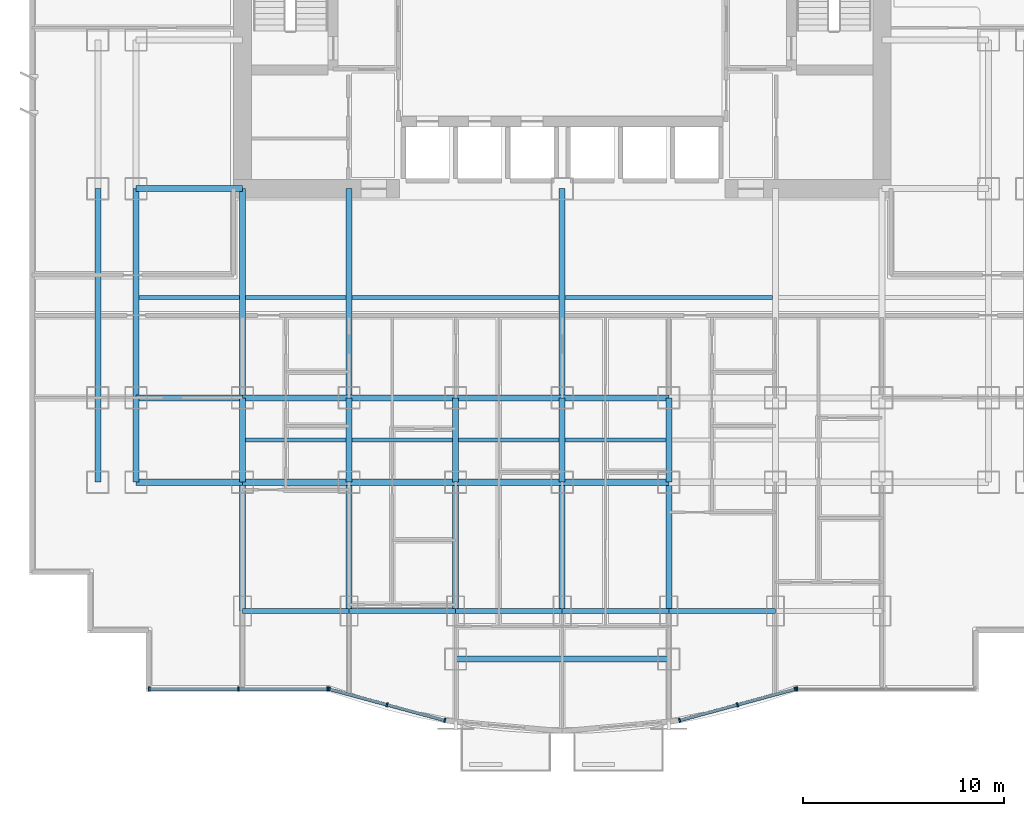
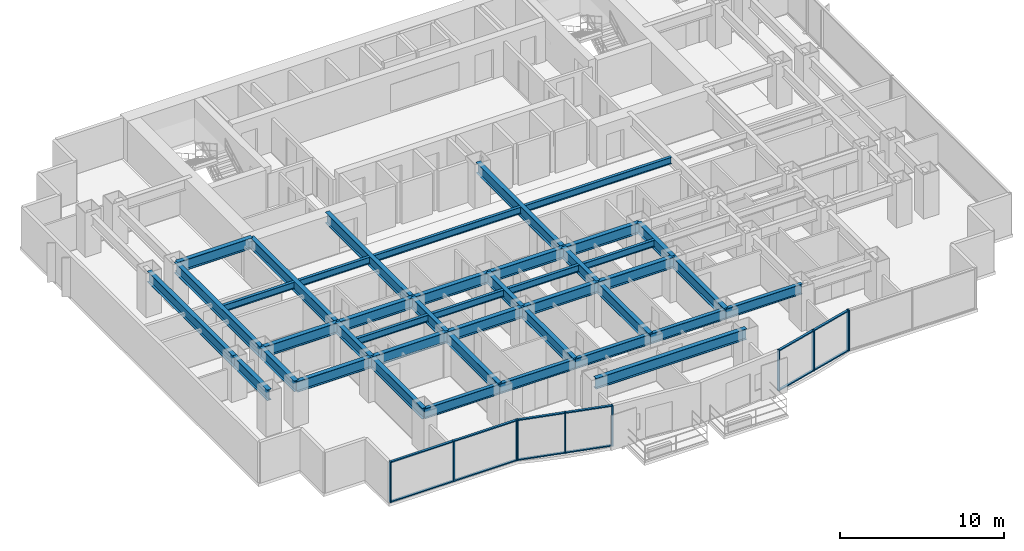
# One storey, part 2 of 12: 42 beams, 22 members, 4 elements without a shape of their own.
"""IFC4 building model written with IfcOpenShell, lengths in metres."""

from ifc_helpers import new_model, si_unit, direction, frame, origin, origin_2d, place, context, subcontext, project, spatial, rectangle, i_section, extrude, source, transform, mapped, material, layer, layer_set, material_profile, profile_set, type_object, element, aggregate, save


model = new_model("IFC4")

# Units and contexts
model_context = context("Model", 3, precision=1e-05, world=origin(), true_north=direction((0.0, 1.0)))
body_context = subcontext(model_context, "Body", "Model", "MODEL_VIEW")
ifc_project = project(units=[si_unit("LENGTHUNIT", "METRE"), si_unit("AREAUNIT", "SQUARE_METRE"), si_unit("VOLUMEUNIT", "CUBIC_METRE"), si_unit("PLANEANGLEUNIT", "RADIAN"), si_unit("MASSUNIT", "GRAM", prefix="KILO")], contexts=[model_context])

# Site, building, storey
site_placement = place(None, origin())
site = spatial("IfcSite", under=ifc_project, at=site_placement, CompositionType="ELEMENT")
building_placement = place(site_placement, origin())
building = spatial("IfcBuilding", under=site, at=building_placement, Name="Qianlan Lanfeng Residences", CompositionType="ELEMENT")
storey_placement = place(building_placement, frame((0.0, 0.0, 67.10009765625)))
storey = spatial("IfcBuildingStorey", under=building, at=storey_placement, Name="L18", CompositionType="ELEMENT", Elevation=67.10009765625)

# Beams
ifc_material_1 = material(Name="Steel SN490B", Category="steel")
ifc_material_profile_1 = material_profile(ifc_material_1, i_section(OverallWidth=0.300048828125, OverallDepth=0.800048828125, WebThickness=0.01611328125, FlangeThickness=0.028076171875, at=origin_2d()), Name="H 800x300x16x28")
ifc_profile_set_1 = profile_set([ifc_material_profile_1], Name="Steel SN490B")
beam_type_1 = type_object("IfcBeamType", Name="G-950", PredefinedType="BEAM", material=ifc_profile_set_1)
beam_1_placement = place(storey_placement, frame((21.199951171875, 1.800048828125, 2.6298828125), z_axis=(1.0, 0.0, 0.0), x_axis=(0.0, 1.0, 0.0)))
element("IfcBeam", 1, at=beam_1_placement, inside=storey, type_object=beam_type_1, Name="Structural beam G-950", PredefinedType="BEAM", context=body_context, shape_type="SweptSolid", body=[
    extrude(i_section(OverallWidth=0.300048828125, OverallDepth=0.800048828125, WebThickness=0.01611328125, FlangeThickness=0.028076171875, at=origin_2d()), origin(), (0.0, 0.0, 1.0), 10.60009765625),
])
beam_2_placement = place(storey_placement, frame((5.300048828125, 10.60009765625, 2.6298828125), z_axis=(1.0, 0.0, 0.0), x_axis=(0.0, 1.0, 0.0)))
element("IfcBeam", 2, at=beam_2_placement, inside=storey, type_object=beam_type_1, Name="Structural beam G-950", PredefinedType="BEAM", context=body_context, shape_type="SweptSolid", body=[
    extrude(i_section(OverallWidth=0.300048828125, OverallDepth=0.800048828125, WebThickness=0.01611328125, FlangeThickness=0.028076171875, at=origin_2d()), origin(), (0.0, 0.0, 1.0), 5.300048828125),
])
beam_3_placement = place(storey_placement, frame((10.60009765625, 10.60009765625, 2.6298828125), z_axis=(1.0, 0.0, 0.0), x_axis=(0.0, 1.0, 0.0)))
element("IfcBeam", 3, at=beam_3_placement, inside=storey, type_object=beam_type_1, Name="Structural beam G-950", PredefinedType="BEAM", context=body_context, shape_type="SweptSolid", body=[
    extrude(i_section(OverallWidth=0.300048828125, OverallDepth=0.800048828125, WebThickness=0.01611328125, FlangeThickness=0.028076171875, at=origin_2d()), origin(), (0.0, 0.0, 1.0), 5.2998046875),
])
for number, where, z_axis, x_axis, name in (
    (4, (15.89990234375, 10.60009765625, 2.6298828125), (1.0, 0.0, 0.0), (0.0, 1.0, 0.0), "Structural beam G-950"),
    (5, (21.199951171875, 10.60009765625, 2.6298828125), (1.0, 0.0, 0.0), (0.0, 1.0, 0.0), "Structural beam G-950"),
    (6, (26.5, 10.60009765625, 2.6298828125), (1.0, 0.0, 0.0), (0.0, 1.0, 0.0), "Structural beam G-950"),
    (7, (5.300048828125, 14.800048828125, 2.6298828125), (1.0, 0.0, 0.0), (0.0, 1.0, 0.0), "Structural beam G-950"),
):
    element("IfcBeam", number, at=place(storey_placement, frame(where, z_axis=z_axis, x_axis=x_axis)), inside=storey, type_object=beam_type_1, Name=name, PredefinedType="BEAM", context=body_context, shape_type="SweptSolid", body=[
        extrude(i_section(OverallWidth=0.300048828125, OverallDepth=0.800048828125, WebThickness=0.01611328125, FlangeThickness=0.028076171875, at=origin_2d()), origin(), (0.0, 0.0, 1.0), 5.300048828125),
    ])
beam_4_placement = place(storey_placement, frame((10.60009765625, 14.800048828125, 2.6298828125), z_axis=(1.0, 0.0, 0.0), x_axis=(0.0, 1.0, 0.0)))
element("IfcBeam", 8, at=beam_4_placement, inside=storey, type_object=beam_type_1, Name="Structural beam G-950", PredefinedType="BEAM", context=body_context, shape_type="SweptSolid", body=[
    extrude(i_section(OverallWidth=0.300048828125, OverallDepth=0.800048828125, WebThickness=0.01611328125, FlangeThickness=0.028076171875, at=origin_2d()), origin(), (0.0, 0.0, 1.0), 5.2998046875),
])
for number, where, z_axis, x_axis, name in (
    (9, (15.89990234375, 14.800048828125, 2.6298828125), (1.0, 0.0, 0.0), (0.0, 1.0, 0.0), "Structural beam G-950"),
    (10, (21.199951171875, 14.800048828125, 2.6298828125), (1.0, 0.0, 0.0), (0.0, 1.0, 0.0), "Structural beam G-950"),
    (11, (26.5, 14.800048828125, 2.6298828125), (1.0, 0.0, 0.0), (0.0, 1.0, 0.0), "Structural beam G-950"),
    (12, (5.300048828125, 25.199951171875, 2.6298828125), (1.0, 0.0, 0.0), (0.0, 1.0, 0.0), "Structural beam G-950"),
):
    element("IfcBeam", number, at=place(storey_placement, frame(where, z_axis=z_axis, x_axis=x_axis)), inside=storey, type_object=beam_type_1, Name=name, PredefinedType="BEAM", context=body_context, shape_type="SweptSolid", body=[
        extrude(i_section(OverallWidth=0.300048828125, OverallDepth=0.800048828125, WebThickness=0.01611328125, FlangeThickness=0.028076171875, at=origin_2d()), origin(), (0.0, 0.0, 1.0), 5.300048828125),
    ])
beam_5_placement = place(storey_placement, frame((3.39990234375, 10.60009765625, 2.6298828125), z_axis=(0.0, 1.0, 0.0), x_axis=(-1.0, 0.0, 0.0)))
element("IfcBeam", 13, at=beam_5_placement, inside=storey, type_object=beam_type_1, Name="Structural beam G-950", PredefinedType="BEAM", context=body_context, shape_type="SweptSolid", body=[
    extrude(i_section(OverallWidth=0.300048828125, OverallDepth=0.800048828125, WebThickness=0.01611328125, FlangeThickness=0.028076171875, at=origin_2d()), origin(), (0.0, 0.0, 1.0), 4.199951171875),
])
beam_6_placement = place(storey_placement, frame((3.39990234375, 14.800048828125, 2.6298828125), z_axis=(0.0, 1.0, 0.0), x_axis=(-1.0, 0.0, 0.0)))
element("IfcBeam", 14, at=beam_6_placement, inside=storey, type_object=beam_type_1, Name="Structural beam G-950", PredefinedType="BEAM", context=body_context, shape_type="SweptSolid", body=[
    extrude(i_section(OverallWidth=0.300048828125, OverallDepth=0.800048828125, WebThickness=0.01611328125, FlangeThickness=0.028076171875, at=origin_2d()), origin(), (0.0, 0.0, 1.0), 10.39990234375),
])
beam_7_placement = place(storey_placement, frame((5.300048828125, 10.60009765625, 2.6298828125), z_axis=(0.0, 1.0, 0.0), x_axis=(-1.0, 0.0, 0.0)))
element("IfcBeam", 15, at=beam_7_placement, inside=storey, type_object=beam_type_1, Name="Structural beam G-950", PredefinedType="BEAM", context=body_context, shape_type="SweptSolid", body=[
    extrude(i_section(OverallWidth=0.300048828125, OverallDepth=0.800048828125, WebThickness=0.01611328125, FlangeThickness=0.028076171875, at=origin_2d()), origin(), (0.0, 0.0, 1.0), 4.199951171875),
])
beam_8_placement = place(storey_placement, frame((5.300048828125, 14.800048828125, 2.6298828125), z_axis=(0.0, 1.0, 0.0), x_axis=(-1.0, 0.0, 0.0)))
element("IfcBeam", 16, at=beam_8_placement, inside=storey, type_object=beam_type_1, Name="Structural beam G-950", PredefinedType="BEAM", context=body_context, shape_type="SweptSolid", body=[
    extrude(i_section(OverallWidth=0.300048828125, OverallDepth=0.800048828125, WebThickness=0.01611328125, FlangeThickness=0.028076171875, at=origin_2d()), origin(), (0.0, 0.0, 1.0), 10.39990234375),
])
beam_9_placement = place(storey_placement, frame((10.60009765625, 4.199951171875, 2.6298828125), z_axis=(0.0, 1.0, 0.0), x_axis=(-1.0, 0.0, 0.0)))
element("IfcBeam", 17, at=beam_9_placement, inside=storey, type_object=beam_type_1, Name="Structural beam G-950", PredefinedType="BEAM", context=body_context, shape_type="SweptSolid", body=[
    extrude(i_section(OverallWidth=0.300048828125, OverallDepth=0.800048828125, WebThickness=0.01611328125, FlangeThickness=0.028076171875, at=origin_2d()), origin(), (0.0, 0.0, 1.0), 6.400146484375),
])
beam_10_placement = place(storey_placement, frame((10.60009765625, 10.60009765625, 2.6298828125), z_axis=(0.0, 1.0, 0.0), x_axis=(-1.0, 0.0, 0.0)))
element("IfcBeam", 18, at=beam_10_placement, inside=storey, type_object=beam_type_1, Name="Structural beam G-950", PredefinedType="BEAM", context=body_context, shape_type="SweptSolid", body=[
    extrude(i_section(OverallWidth=0.300048828125, OverallDepth=0.800048828125, WebThickness=0.01611328125, FlangeThickness=0.028076171875, at=origin_2d()), origin(), (0.0, 0.0, 1.0), 4.199951171875),
])
beam_11_placement = place(storey_placement, frame((10.60009765625, 14.800048828125, 2.6298828125), z_axis=(0.0, 1.0, 0.0), x_axis=(-1.0, 0.0, 0.0)))
element("IfcBeam", 19, at=beam_11_placement, inside=storey, type_object=beam_type_1, Name="Structural beam G-950", PredefinedType="BEAM", context=body_context, shape_type="SweptSolid", body=[
    extrude(i_section(OverallWidth=0.300048828125, OverallDepth=0.800048828125, WebThickness=0.01611328125, FlangeThickness=0.028076171875, at=origin_2d()), origin(), (0.0, 0.0, 1.0), 10.39990234375),
])
beam_12_placement = place(storey_placement, frame((15.89990234375, 4.199951171875, 2.6298828125), z_axis=(0.0, 1.0, 0.0), x_axis=(-1.0, 0.0, 0.0)))
element("IfcBeam", 20, at=beam_12_placement, inside=storey, type_object=beam_type_1, Name="Structural beam G-950", PredefinedType="BEAM", context=body_context, shape_type="SweptSolid", body=[
    extrude(i_section(OverallWidth=0.300048828125, OverallDepth=0.800048828125, WebThickness=0.01611328125, FlangeThickness=0.028076171875, at=origin_2d()), origin(), (0.0, 0.0, 1.0), 6.400146484375),
])
beam_13_placement = place(storey_placement, frame((15.89990234375, 10.60009765625, 2.6298828125), z_axis=(0.0, 1.0, 0.0), x_axis=(-1.0, 0.0, 0.0)))
element("IfcBeam", 21, at=beam_13_placement, inside=storey, type_object=beam_type_1, Name="Structural beam G-950", PredefinedType="BEAM", context=body_context, shape_type="SweptSolid", body=[
    extrude(i_section(OverallWidth=0.300048828125, OverallDepth=0.800048828125, WebThickness=0.01611328125, FlangeThickness=0.028076171875, at=origin_2d()), origin(), (0.0, 0.0, 1.0), 4.199951171875),
])
beam_14_placement = place(storey_placement, frame((15.89990234375, 14.800048828125, 2.6298828125), z_axis=(0.0, 1.0, 0.0), x_axis=(-1.0, 0.0, 0.0)))
element("IfcBeam", 22, at=beam_14_placement, inside=storey, type_object=beam_type_1, Name="Structural beam G-950", PredefinedType="BEAM", context=body_context, shape_type="SweptSolid", body=[
    extrude(i_section(OverallWidth=0.300048828125, OverallDepth=0.800048828125, WebThickness=0.01611328125, FlangeThickness=0.028076171875, at=origin_2d()), origin(), (0.0, 0.0, 1.0), 10.39990234375),
])
beam_15_placement = place(storey_placement, frame((21.199951171875, 4.199951171875, 2.6298828125), z_axis=(0.0, 1.0, 0.0), x_axis=(-1.0, 0.0, 0.0)))
element("IfcBeam", 23, at=beam_15_placement, inside=storey, type_object=beam_type_1, Name="Structural beam G-950", PredefinedType="BEAM", context=body_context, shape_type="SweptSolid", body=[
    extrude(i_section(OverallWidth=0.300048828125, OverallDepth=0.800048828125, WebThickness=0.01611328125, FlangeThickness=0.028076171875, at=origin_2d()), origin(), (0.0, 0.0, 1.0), 6.400146484375),
])
beam_16_placement = place(storey_placement, frame((21.199951171875, 10.60009765625, 2.6298828125), z_axis=(0.0, 1.0, 0.0), x_axis=(-1.0, 0.0, 0.0)))
element("IfcBeam", 24, at=beam_16_placement, inside=storey, type_object=beam_type_1, Name="Structural beam G-950", PredefinedType="BEAM", context=body_context, shape_type="SweptSolid", body=[
    extrude(i_section(OverallWidth=0.300048828125, OverallDepth=0.800048828125, WebThickness=0.01611328125, FlangeThickness=0.028076171875, at=origin_2d()), origin(), (0.0, 0.0, 1.0), 4.199951171875),
])
beam_17_placement = place(storey_placement, frame((26.5, 4.199951171875, 2.6298828125), z_axis=(0.0, 1.0, 0.0), x_axis=(-1.0, 0.0, 0.0)))
element("IfcBeam", 25, at=beam_17_placement, inside=storey, type_object=beam_type_1, Name="Structural beam G-950", PredefinedType="BEAM", context=body_context, shape_type="SweptSolid", body=[
    extrude(i_section(OverallWidth=0.300048828125, OverallDepth=0.800048828125, WebThickness=0.01611328125, FlangeThickness=0.028076171875, at=origin_2d()), origin(), (0.0, 0.0, 1.0), 6.400146484375),
])
beam_18_placement = place(storey_placement, frame((26.5, 10.60009765625, 2.6298828125), z_axis=(0.0, 1.0, 0.0), x_axis=(-1.0, 0.0, 0.0)))
element("IfcBeam", 26, at=beam_18_placement, inside=storey, type_object=beam_type_1, Name="Structural beam G-950", PredefinedType="BEAM", context=body_context, shape_type="SweptSolid", body=[
    extrude(i_section(OverallWidth=0.300048828125, OverallDepth=0.800048828125, WebThickness=0.01611328125, FlangeThickness=0.028076171875, at=origin_2d()), origin(), (0.0, 0.0, 1.0), 4.199951171875),
])
beam_19_placement = place(storey_placement, frame((26.5, 14.800048828125, 2.6298828125), z_axis=(0.0, 1.0, 0.0), x_axis=(-1.0, 0.0, 0.0)))
element("IfcBeam", 27, at=beam_19_placement, inside=storey, type_object=beam_type_1, Name="Structural beam G-950", PredefinedType="BEAM", context=body_context, shape_type="SweptSolid", body=[
    extrude(i_section(OverallWidth=0.300048828125, OverallDepth=0.800048828125, WebThickness=0.01611328125, FlangeThickness=0.028076171875, at=origin_2d()), origin(), (0.0, 0.0, 1.0), 10.39990234375),
])
beam_20_placement = place(storey_placement, frame((31.800048828125, 4.199951171875, 2.6298828125), z_axis=(0.0, 1.0, 0.0), x_axis=(-1.0, 0.0, 0.0)))
element("IfcBeam", 28, at=beam_20_placement, inside=storey, type_object=beam_type_1, Name="Structural beam G-950", PredefinedType="BEAM", context=body_context, shape_type="SweptSolid", body=[
    extrude(i_section(OverallWidth=0.300048828125, OverallDepth=0.800048828125, WebThickness=0.01611328125, FlangeThickness=0.028076171875, at=origin_2d()), origin(), (0.0, 0.0, 1.0), 6.400146484375),
])
beam_21_placement = place(storey_placement, frame((31.800048828125, 10.60009765625, 2.6298828125), z_axis=(0.0, 1.0, 0.0), x_axis=(-1.0, 0.0, 0.0)))
element("IfcBeam", 29, at=beam_21_placement, inside=storey, type_object=beam_type_1, Name="Structural beam G-950", PredefinedType="BEAM", context=body_context, shape_type="SweptSolid", body=[
    extrude(i_section(OverallWidth=0.300048828125, OverallDepth=0.800048828125, WebThickness=0.01611328125, FlangeThickness=0.028076171875, at=origin_2d()), origin(), (0.0, 0.0, 1.0), 4.199951171875),
])
ifc_material_profile_2 = material_profile(ifc_material_1, i_section(OverallWidth=0.199951171875, OverallDepth=0.5, WebThickness=0.010009765625, FlangeThickness=0.01611328125, at=origin_2d()), Name="H 500x200x10x16")
ifc_profile_set_2 = profile_set([ifc_material_profile_2], Name="Steel SN490B")
beam_type_2 = type_object("IfcBeamType", Name="J-500", PredefinedType="JOIST", material=ifc_profile_set_2)
for number, where, z_axis, x_axis, name in (
    (30, (10.75, 12.699951171875, 2.77978515625), (1.0, 0.0, 0.0), (0.0, 1.0, 0.0), "Structural beam J-500"),
    (31, (16.050048828125, 12.699951171875, 2.77978515625), (1.0, 0.0, 0.0), (0.0, 1.0, 0.0), "Structural beam J-500"),
    (32, (21.35009765625, 12.699951171875, 2.77978515625), (1.0, 0.0, 0.0), (0.0, 1.0, 0.0), "Structural beam J-500"),
    (33, (26.64990234375, 12.699951171875, 2.77978515625), (1.0, 0.0, 0.0), (0.0, 1.0, 0.0), "Structural beam J-500"),
    (34, (5.449951171875, 19.800048828125, 2.77978515625), (1.0, 0.0, 0.0), (0.0, 1.0, 0.0), "Structural beam J-500"),
    (35, (10.75, 19.800048828125, 2.77978515625), (1.0, 0.0, 0.0), (0.0, 1.0, 0.0), "Structural beam J-500"),
):
    element("IfcBeam", number, at=place(storey_placement, frame(where, z_axis=z_axis, x_axis=x_axis)), inside=storey, type_object=beam_type_2, Name=name, PredefinedType="JOIST", context=body_context, shape_type="SweptSolid", body=[
        extrude(i_section(OverallWidth=0.199951171875, OverallDepth=0.5, WebThickness=0.010009765625, FlangeThickness=0.01611328125, at=origin_2d()), origin(), (0.0, 0.0, 1.0), 5.0),
    ])
for number, where, z_axis, x_axis, name in (
    (36, (16.050048828125, 19.800048828125, 2.77978515625), (1.0, 0.0, 0.0), (0.0, 1.0, 0.0), "Structural beam J-500"),
    (37, (26.64990234375, 19.800048828125, 2.77978515625), (1.0, 0.0, 0.0), (0.0, 1.0, 0.0), "Structural beam J-500"),
):
    element("IfcBeam", number, at=place(storey_placement, frame(where, z_axis=z_axis, x_axis=x_axis)), inside=storey, type_object=beam_type_2, Name=name, PredefinedType="JOIST", context=body_context, shape_type="SweptSolid", body=[
        extrude(i_section(OverallWidth=0.199951171875, OverallDepth=0.5, WebThickness=0.010009765625, FlangeThickness=0.01611328125, at=origin_2d()), origin(), (0.0, 0.0, 1.0), 10.300048828125),
    ])
ifc_material_profile_3 = material_profile(ifc_material_1, i_section(OverallWidth=0.25, OverallDepth=0.75, WebThickness=0.013916015625, FlangeThickness=0.02490234375, at=origin_2d()), Name="H 750x250x14x25")
ifc_profile_set_3 = profile_set([ifc_material_profile_3], Name="Steel SN490B")
beam_type_3 = type_object("IfcBeamType", Name="SG-850", PredefinedType="SPANDREL", material=ifc_profile_set_3)
beam_22_placement = place(storey_placement, frame((10.60009765625, 4.199951171875, 2.65478515625), z_axis=(1.0, 0.0, 0.0), x_axis=(0.0, 1.0, 0.0)))
element("IfcBeam", 38, at=beam_22_placement, inside=storey, type_object=beam_type_3, Name="Structural beam SG-850", PredefinedType="SPANDREL", context=body_context, shape_type="SweptSolid", body=[
    extrude(i_section(OverallWidth=0.25, OverallDepth=0.75, WebThickness=0.013916015625, FlangeThickness=0.02490234375, at=origin_2d()), origin(), (0.0, 0.0, 1.0), 5.2998046875),
])
for number, where, z_axis, x_axis, name in (
    (39, (15.89990234375, 4.199951171875, 2.65478515625), (1.0, 0.0, 0.0), (0.0, 1.0, 0.0), "Structural beam SG-850"),
    (40, (21.199951171875, 4.199951171875, 2.65478515625), (1.0, 0.0, 0.0), (0.0, 1.0, 0.0), "Structural beam SG-850"),
    (41, (26.5, 4.199951171875, 2.65478515625), (1.0, 0.0, 0.0), (0.0, 1.0, 0.0), "Structural beam SG-850"),
    (42, (31.800048828125, 4.199951171875, 2.65478515625), (1.0, 0.0, 0.0), (0.0, 1.0, 0.0), "Structural beam SG-850"),
):
    element("IfcBeam", number, at=place(storey_placement, frame(where, z_axis=z_axis, x_axis=x_axis)), inside=storey, type_object=beam_type_3, Name=name, PredefinedType="SPANDREL", context=body_context, shape_type="SweptSolid", body=[
        extrude(i_section(OverallWidth=0.25, OverallDepth=0.75, WebThickness=0.013916015625, FlangeThickness=0.02490234375, at=origin_2d()), origin(), (0.0, 0.0, 1.0), 5.300048828125),
    ])

# Curtain wall, members
ifc_material_2 = material(Name="Anodised Bronze Aluminium 6063-T6", Category="aluminium")
ifc_layer = layer(ifc_material_2, 0.219970703125)
ifc_layer_set = layer_set([ifc_layer], Name="Anodised Bronze Aluminium 6063-T6")
curtain_wall_type = type_object("IfcCurtainWallType", Name="CW-02", PredefinedType="NOTDEFINED", material=ifc_layer_set)
curtain_wall_1_placement = place(storey_placement, origin())
curtain_wall_1 = element("IfcCurtainWall", 43, at=curtain_wall_1_placement, inside=storey, type_object=curtain_wall_type, Name="L18 Unitised Curtain Wall CWR-L18-02 (CW-02)", PredefinedType="NOTDEFINED")
ifc_material_profile_4 = material_profile(ifc_material_2, rectangle(XDim=0.080078125, YDim=0.159912109375, at=origin_2d()), Name="ALU TRANSOM 80x160")
ifc_profile_set_4 = profile_set([ifc_material_profile_4], Name="Anodised Bronze Aluminium 6063-T6")
member_type_1 = type_object("IfcMemberType", Name="CWT-180", PredefinedType="USERDEFINED", material=ifc_profile_set_4)
shared_shape_1 = source(origin(), body_context, "Body", "SweptSolid", [
    extrude(rectangle(XDim=0.080078125, YDim=0.159912109375, at=origin_2d()), origin(), (0.0, 0.0, 1.0), 2.897705078125),
])
member_1_placement = place(storey_placement, frame((14.947265625, 0.299072265625, 0.039794921875), z_axis=(0.965267548724, -0.261263390817, 0.0), x_axis=(0.0, 0.0, 1.0)))
member_1 = element("IfcMember", 44, at=member_1_placement, type_object=member_type_1, Name="CWR-L18-02 Transom 1-BOT", ObjectType="TRANSOM", PredefinedType="USERDEFINED", context=body_context, shape_type="MappedRepresentation", body=[
    mapped(shared_shape_1, transform((0.0, 0.0, 0.0), scale=1.0)),
])
member_2_placement = place(storey_placement, frame((14.947265625, 0.299072265625, 2.989990234375), z_axis=(0.965267548724, -0.261263390817, 0.0), x_axis=(0.0, 0.0, 1.0)))
member_2 = element("IfcMember", 45, at=member_2_placement, type_object=member_type_1, Name="CWR-L18-02 Transom 1-TOP", ObjectType="TRANSOM", PredefinedType="USERDEFINED", context=body_context, shape_type="MappedRepresentation", body=[
    mapped(shared_shape_1, transform((0.0, 0.0, 0.0), scale=1.0)),
])

curtain_wall_2_placement = place(storey_placement, origin())
curtain_wall_2 = element("IfcCurtainWall", 46, at=curtain_wall_2_placement, inside=storey, type_object=curtain_wall_type, Name="L18 Unitised Curtain Wall CWR-L18-03 (CW-02)", PredefinedType="NOTDEFINED")
member_3_placement = place(storey_placement, frame((35.255615234375, -0.4580078125, 0.039794921875), z_axis=(0.965267548724, 0.261263390817, 0.0), x_axis=(0.0, 0.0, 1.0)))
member_3 = element("IfcMember", 47, at=member_3_placement, type_object=member_type_1, Name="CWR-L18-03 Transom 2-BOT", ObjectType="TRANSOM", PredefinedType="USERDEFINED", context=body_context, shape_type="MappedRepresentation", body=[
    mapped(shared_shape_1, transform((0.0, 0.0, 0.0), scale=1.0)),
])
member_4_placement = place(storey_placement, frame((35.255615234375, -0.4580078125, 2.989990234375), z_axis=(0.965267548724, 0.261263390817, 0.0), x_axis=(0.0, 0.0, 1.0)))
member_4 = element("IfcMember", 48, at=member_4_placement, type_object=member_type_1, Name="CWR-L18-03 Transom 2-TOP", ObjectType="TRANSOM", PredefinedType="USERDEFINED", context=body_context, shape_type="MappedRepresentation", body=[
    mapped(shared_shape_1, transform((0.0, 0.0, 0.0), scale=1.0)),
])

# Member
shared_shape_2 = source(origin(), body_context, "Body", "SweptSolid", [
    extrude(rectangle(XDim=0.080078125, YDim=0.159912109375, at=origin_2d()), origin(), (0.0, 0.0, 1.0), 2.89794921875),
])
member_5_placement = place(storey_placement, frame((17.821533203125, -0.47900390625, 0.039794921875), z_axis=(0.965273298897, -0.261242145215, 0.0), x_axis=(0.0, 0.0, 1.0)))
member_5 = element("IfcMember", 49, at=member_5_placement, type_object=member_type_1, Name="CWR-L18-02 Transom 2-BOT", ObjectType="TRANSOM", PredefinedType="USERDEFINED", context=body_context, shape_type="MappedRepresentation", body=[
    mapped(shared_shape_2, transform((0.0, 0.0, 0.0), scale=1.0)),
])

member_6_placement = place(storey_placement, frame((17.821533203125, -0.47900390625, 2.989990234375), z_axis=(0.965273298897, -0.261242145215, 0.0), x_axis=(0.0, 0.0, 1.0)))
member_6 = element("IfcMember", 50, at=member_6_placement, type_object=member_type_1, Name="CWR-L18-02 Transom 2-TOP", ObjectType="TRANSOM", PredefinedType="USERDEFINED", context=body_context, shape_type="MappedRepresentation", body=[
    mapped(shared_shape_2, transform((0.0, 0.0, 0.0), scale=1.0)),
])

member_7_placement = place(storey_placement, frame((32.381103515625, -1.236083984375, 0.039794921875), z_axis=(0.965273298897, 0.261242145215, 0.0), x_axis=(0.0, 0.0, 1.0)))
member_7 = element("IfcMember", 51, at=member_7_placement, type_object=member_type_1, Name="CWR-L18-03 Transom 1-BOT", ObjectType="TRANSOM", PredefinedType="USERDEFINED", context=body_context, shape_type="MappedRepresentation", body=[
    mapped(shared_shape_2, transform((0.0, 0.0, 0.0), scale=1.0)),
])

member_8_placement = place(storey_placement, frame((32.381103515625, -1.236083984375, 2.989990234375), z_axis=(0.965273298897, 0.261242145215, 0.0), x_axis=(0.0, 0.0, 1.0)))
member_8 = element("IfcMember", 52, at=member_8_placement, type_object=member_type_1, Name="CWR-L18-03 Transom 1-TOP", ObjectType="TRANSOM", PredefinedType="USERDEFINED", context=body_context, shape_type="MappedRepresentation", body=[
    mapped(shared_shape_2, transform((0.0, 0.0, 0.0), scale=1.0)),
])

# Curtain wall, members
curtain_wall_3_placement = place(storey_placement, origin())
curtain_wall_3 = element("IfcCurtainWall", 53, at=curtain_wall_3_placement, inside=storey, type_object=curtain_wall_type, Name="L18 Unitised Curtain Wall CWR-L18-01 (CW-02)", PredefinedType="NOTDEFINED")
shared_shape_3 = source(origin(), body_context, "Body", "SweptSolid", [
    extrude(rectangle(XDim=0.080078125, YDim=0.159912109375, at=origin_2d()), origin(), (0.0, 0.0, 1.0), 4.35498046875),
])
member_9_placement = place(storey_placement, frame((6.0, 0.320068359375, 0.039794921875), z_axis=(1.0, 0.0, 0.0), x_axis=(0.0, 0.0, 1.0)))
member_9 = element("IfcMember", 54, at=member_9_placement, type_object=member_type_1, Name="CWR-L18-01 Transom 1-BOT", ObjectType="TRANSOM", PredefinedType="USERDEFINED", context=body_context, shape_type="MappedRepresentation", body=[
    mapped(shared_shape_3, transform((0.0, 0.0, 0.0), scale=1.0)),
])
member_10_placement = place(storey_placement, frame((6.0, 0.320068359375, 2.989990234375), z_axis=(1.0, 0.0, 0.0), x_axis=(0.0, 0.0, 1.0)))
member_10 = element("IfcMember", 55, at=member_10_placement, type_object=member_type_1, Name="CWR-L18-01 Transom 1-TOP", ObjectType="TRANSOM", PredefinedType="USERDEFINED", context=body_context, shape_type="MappedRepresentation", body=[
    mapped(shared_shape_3, transform((0.0, 0.0, 0.0), scale=1.0)),
])
member_11_placement = place(storey_placement, frame((10.43505859375, 0.320068359375, 0.039794921875), z_axis=(1.0, 0.0, 0.0), x_axis=(0.0, 0.0, 1.0)))
member_11 = element("IfcMember", 56, at=member_11_placement, type_object=member_type_1, Name="CWR-L18-01 Transom 2-BOT", ObjectType="TRANSOM", PredefinedType="USERDEFINED", context=body_context, shape_type="MappedRepresentation", body=[
    mapped(shared_shape_3, transform((0.0, 0.0, 0.0), scale=1.0)),
])
member_12_placement = place(storey_placement, frame((10.43505859375, 0.320068359375, 2.989990234375), z_axis=(1.0, 0.0, 0.0), x_axis=(0.0, 0.0, 1.0)))
member_12 = element("IfcMember", 57, at=member_12_placement, type_object=member_type_1, Name="CWR-L18-01 Transom 2-TOP", ObjectType="TRANSOM", PredefinedType="USERDEFINED", context=body_context, shape_type="MappedRepresentation", body=[
    mapped(shared_shape_3, transform((0.0, 0.0, 0.0), scale=1.0)),
])
ifc_material_profile_5 = material_profile(ifc_material_2, rectangle(XDim=0.080078125, YDim=0.2099609375, at=origin_2d()), Name="ALU MULLION 80x210")
ifc_profile_set_5 = profile_set([ifc_material_profile_5], Name="Anodised Bronze Aluminium 6063-T6")
member_type_2 = type_object("IfcMemberType", Name="CWM-220", PredefinedType="MULLION", material=ifc_profile_set_5)
shared_shape_4 = source(origin(), body_context, "Body", "SweptSolid", [
    extrude(rectangle(XDim=0.080078125, YDim=0.2099609375, at=origin_2d()), origin(), (0.0, 0.0, 1.0), 3.02978515625),
])
member_13_placement = place(storey_placement, frame((5.9599609375, 0.320068359375, 0.0), z_axis=(0.0, 0.0, 1.0), x_axis=(1.0, 0.0, 0.0)))
member_13 = element("IfcMember", 58, at=member_13_placement, type_object=member_type_2, Name="CWR-L18-01 Mullion 1", PredefinedType="MULLION", context=body_context, shape_type="MappedRepresentation", body=[
    mapped(shared_shape_4, transform((0.0, 0.0, 0.0), scale=1.0)),
])
member_14_placement = place(storey_placement, frame((10.39501953125, 0.320068359375, 0.0), z_axis=(0.0, 0.0, 1.0), x_axis=(1.0, 0.0, 0.0)))
member_14 = element("IfcMember", 59, at=member_14_placement, type_object=member_type_2, Name="CWR-L18-01 Mullion 2", PredefinedType="MULLION", context=body_context, shape_type="MappedRepresentation", body=[
    mapped(shared_shape_4, transform((0.0, 0.0, 0.0), scale=1.0)),
])
member_15_placement = place(storey_placement, frame((14.830078125, 0.320068359375, 0.0), z_axis=(0.0, 0.0, 1.0), x_axis=(1.0, 0.0, 0.0)))
member_15 = element("IfcMember", 60, at=member_15_placement, type_object=member_type_2, Name="CWR-L18-01 Mullion 3", PredefinedType="MULLION", context=body_context, shape_type="MappedRepresentation", body=[
    mapped(shared_shape_4, transform((0.0, 0.0, 0.0), scale=1.0)),
])
aggregate(curtain_wall_3, [member_13, member_14, member_15, member_9, member_10, member_11, member_12])

# Member
member_16_placement = place(storey_placement, frame((14.90869140625, 0.3095703125, 0.0), z_axis=(0.0, 0.0, 1.0), x_axis=(0.9652627173, -0.261281240412, 0.0)))
member_16 = element("IfcMember", 61, at=member_16_placement, type_object=member_type_2, Name="CWR-L18-02 Mullion 1", PredefinedType="MULLION", context=body_context, shape_type="MappedRepresentation", body=[
    mapped(shared_shape_4, transform((0.0, 0.0, 0.0), scale=1.0)),
])

member_17_placement = place(storey_placement, frame((17.782958984375, -0.468505859375, 0.0), z_axis=(0.0, 0.0, 1.0), x_axis=(0.9652627173, -0.261281240412, 0.0)))
member_17 = element("IfcMember", 62, at=member_17_placement, type_object=member_type_2, Name="CWR-L18-02 Mullion 2", PredefinedType="MULLION", context=body_context, shape_type="MappedRepresentation", body=[
    mapped(shared_shape_4, transform((0.0, 0.0, 0.0), scale=1.0)),
])

member_18_placement = place(storey_placement, frame((20.657470703125, -1.24658203125, 0.0), z_axis=(0.0, 0.0, 1.0), x_axis=(0.9652627173, -0.261281240412, 0.0)))
member_18 = element("IfcMember", 63, at=member_18_placement, type_object=member_type_2, Name="CWR-L18-02 Mullion 3", PredefinedType="MULLION", context=body_context, shape_type="MappedRepresentation", body=[
    mapped(shared_shape_4, transform((0.0, 0.0, 0.0), scale=1.0)),
])

aggregate(curtain_wall_1, [member_16, member_17, member_18, member_1, member_2, member_5, member_6])

member_19_placement = place(storey_placement, frame((32.342529296875, -1.24658203125, 0.0), z_axis=(0.0, 0.0, 1.0), x_axis=(0.9652627173, 0.261281240412, 0.0)))
member_19 = element("IfcMember", 64, at=member_19_placement, type_object=member_type_2, Name="CWR-L18-03 Mullion 1", PredefinedType="MULLION", context=body_context, shape_type="MappedRepresentation", body=[
    mapped(shared_shape_4, transform((0.0, 0.0, 0.0), scale=1.0)),
])

member_20_placement = place(storey_placement, frame((35.217041015625, -0.468505859375, 0.0), z_axis=(0.0, 0.0, 1.0), x_axis=(0.9652627173, 0.261281240412, 0.0)))
member_20 = element("IfcMember", 65, at=member_20_placement, type_object=member_type_2, Name="CWR-L18-03 Mullion 2", PredefinedType="MULLION", context=body_context, shape_type="MappedRepresentation", body=[
    mapped(shared_shape_4, transform((0.0, 0.0, 0.0), scale=1.0)),
])

member_21_placement = place(storey_placement, frame((38.09130859375, 0.3095703125, 0.0), z_axis=(0.0, 0.0, 1.0), x_axis=(0.9652627173, 0.261281240412, 0.0)))
member_21 = element("IfcMember", 66, at=member_21_placement, type_object=member_type_2, Name="CWR-L18-03 Mullion 3", PredefinedType="MULLION", context=body_context, shape_type="MappedRepresentation", body=[
    mapped(shared_shape_4, transform((0.0, 0.0, 0.0), scale=1.0)),
])

aggregate(curtain_wall_2, [member_19, member_20, member_21, member_7, member_8, member_3, member_4])

# Curtain wall, member
curtain_wall_4_placement = place(storey_placement, origin())
curtain_wall_4 = element("IfcCurtainWall", 67, at=curtain_wall_4_placement, inside=storey, type_object=curtain_wall_type, Name="L18 Unitised Curtain Wall CWR-L18-04 (CW-02)", PredefinedType="NOTDEFINED")
member_22_placement = place(storey_placement, frame((38.169921875, 0.320068359375, 0.0), z_axis=(0.0, 0.0, 1.0), x_axis=(1.0, 0.0, 0.0)))
member_22 = element("IfcMember", 68, at=member_22_placement, type_object=member_type_2, Name="CWR-L18-04 Mullion 1", PredefinedType="MULLION", context=body_context, shape_type="MappedRepresentation", body=[
    mapped(shared_shape_4, transform((0.0, 0.0, 0.0), scale=1.0)),
])
aggregate(curtain_wall_4, [member_22])

save(model, "model.ifc")
